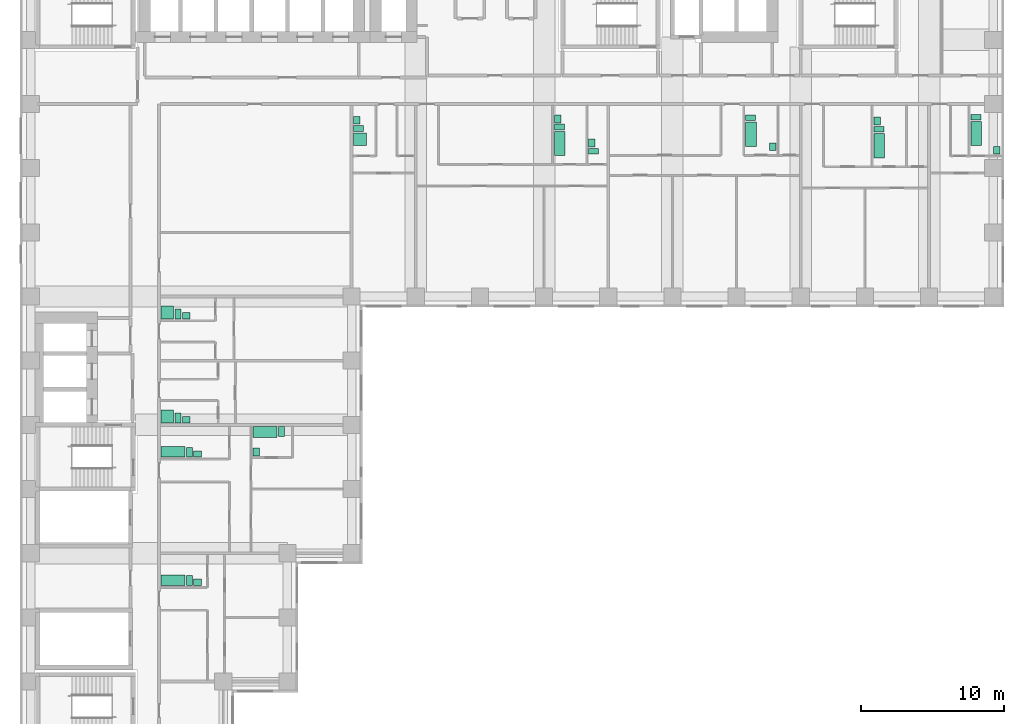
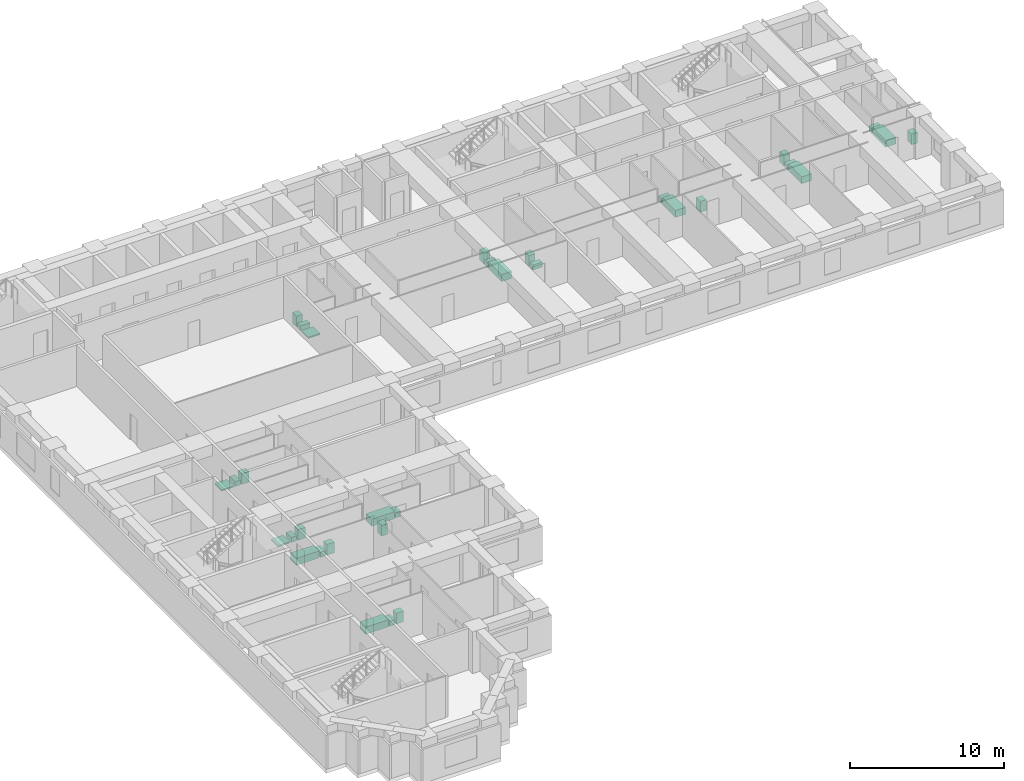
# One storey, part 11 of 11: 32 sanitary terminals.
"""IFC4 building model written with IfcOpenShell, lengths in metres."""

from ifc_helpers import new_model, si_unit, direction, frame, origin, origin_2d, place, context, subcontext, project, spatial, rectangle, extrude, material, type_object, element, save


model = new_model("IFC4")

# Units and contexts
model_context = context("Model", 3, precision=1e-05, world=origin(), true_north=direction((0.0, 1.0)))
body_context = subcontext(model_context, "Body", "Model", "MODEL_VIEW")
ifc_project = project(units=[si_unit("LENGTHUNIT", "METRE"), si_unit("AREAUNIT", "SQUARE_METRE"), si_unit("VOLUMEUNIT", "CUBIC_METRE"), si_unit("PLANEANGLEUNIT", "RADIAN"), si_unit("MASSUNIT", "GRAM", prefix="KILO")], contexts=[model_context])

# Site, building, storey
site_placement = place(None, origin())
site = spatial("IfcSite", under=ifc_project, at=site_placement, CompositionType="ELEMENT")
building_placement = place(site_placement, origin())
building = spatial("IfcBuilding", under=site, at=building_placement, Name="Firuza Court", CompositionType="ELEMENT")
storey_placement = place(building_placement, frame((0.0, 0.0, 57.800048828125)))
storey = spatial("IfcBuildingStorey", under=building, at=storey_placement, Name="L13", CompositionType="ELEMENT", Elevation=57.800048828125)

# Sanitary terminals
ifc_material_1 = material(Name="Vitreous china", Category="ceramic")
sanitary_terminal_type_1 = type_object("IfcSanitaryTerminalType", Name="Fixture Bath", PredefinedType="BATH", material=ifc_material_1)
for number, where, z_axis, x_axis, name in (
    (1, (37.10498046875, 46.72998046875, 0.0), (0.0, 0.0, 1.0), (1.0, 0.0, 0.0), "Bath"),
    (2, (50.5048828125, 47.3798828125, 0.0), (0.0, 0.0, 1.0), (1.0, 0.0, 0.0), "Bath"),
    (3, (59.5048828125, 46.580078125, 0.0), (0.0, 0.0, 1.0), (1.0, 0.0, 0.0), "Bath"),
    (4, (66.304931640625, 47.429931640625, 0.0), (0.0, 0.0, 1.0), (1.0, 0.0, 0.0), "Bath"),
):
    element("IfcSanitaryTerminal", number, at=place(storey_placement, frame(where, z_axis=z_axis, x_axis=x_axis)), inside=storey, type_object=sanitary_terminal_type_1, Name=name, PredefinedType="BATH", context=body_context, shape_type="SweptSolid", body=[
        extrude(rectangle(XDim=0.75, YDim=1.699951171875, at=origin_2d()), origin(), (0.0, 0.0, 1.0), 0.550048828125),
    ])
for number, where, z_axis, x_axis, name in (
    (5, (9.97998046875, 25.10498046875, 0.0), (0.0, 0.0, 1.0), (1.0, 0.0, 0.0), "Bath"),
    (6, (16.429931640625, 26.4951171875, 0.0), (0.0, 0.0, 1.0), (1.0, 0.0, 0.0), "Bath"),
    (7, (9.97998046875, 16.10498046875, 0.0), (0.0, 0.0, 1.0), (1.0, 0.0, 0.0), "Bath"),
):
    element("IfcSanitaryTerminal", number, at=place(storey_placement, frame(where, z_axis=z_axis, x_axis=x_axis)), inside=storey, type_object=sanitary_terminal_type_1, Name=name, PredefinedType="BATH", context=body_context, shape_type="SweptSolid", body=[
        extrude(rectangle(XDim=1.699951171875, YDim=0.75, at=origin_2d()), origin(), (0.0, 0.0, 1.0), 0.550048828125),
    ])
ifc_material_2 = material(Name="Vitreous china", Category="ceramic")
sanitary_terminal_type_2 = type_object("IfcSanitaryTerminalType", Name="Fixture Shower tray", PredefinedType="SHOWER", material=ifc_material_2)
for number, where, z_axis, x_axis, name in (
    (8, (23.080078125, 47.030029296875, 0.0), (0.0, 0.0, 1.0), (1.0, 0.0, 0.0), "Shower tray"),
    (9, (9.580078125, 34.8798828125, 0.0), (0.0, 0.0, 1.0), (1.0, 0.0, 0.0), "Shower tray"),
    (10, (9.580078125, 27.580078125, 0.0), (0.0, 0.0, 1.0), (1.0, 0.0, 0.0), "Shower tray"),
):
    element("IfcSanitaryTerminal", number, at=place(storey_placement, frame(where, z_axis=z_axis, x_axis=x_axis)), inside=storey, type_object=sanitary_terminal_type_2, Name=name, PredefinedType="SHOWER", context=body_context, shape_type="SweptSolid", body=[
        extrude(rectangle(XDim=0.89990234375, YDim=0.89990234375, at=origin_2d()), origin(), (0.0, 0.0, 1.0), 0.10009765625),
    ])
ifc_material_3 = material(Name="Vitreous china", Category="ceramic")
sanitary_terminal_type_3 = type_object("IfcSanitaryTerminalType", Name="Fixture WC pan", PredefinedType="TOILETPAN", material=ifc_material_3)
for number, where, z_axis, x_axis, name in (
    (11, (22.97998046875, 47.780029296875, 0.0), (0.0, 0.0, 1.0), (1.0, 0.0, 0.0), "WC pan"),
    (12, (37.080078125, 47.8798828125, 0.0), (0.0, 0.0, 1.0), (1.0, 0.0, 0.0), "WC pan"),
    (13, (39.47998046875, 46.179931640625, 0.0), (0.0, 0.0, 1.0), (1.0, 0.0, 0.0), "WC pan"),
    (14, (50.47998046875, 48.530029296875, 0.0), (0.0, 0.0, 1.0), (1.0, 0.0, 0.0), "WC pan"),
    (15, (59.47998046875, 47.72998046875, 0.0), (0.0, 0.0, 1.0), (1.0, 0.0, 0.0), "WC pan"),
    (16, (66.280029296875, 48.580078125, 0.0), (0.0, 0.0, 1.0), (1.0, 0.0, 0.0), "WC pan"),
):
    element("IfcSanitaryTerminal", number, at=place(storey_placement, frame(where, z_axis=z_axis, x_axis=x_axis)), inside=storey, type_object=sanitary_terminal_type_3, Name=name, PredefinedType="TOILETPAN", context=body_context, shape_type="SweptSolid", body=[
        extrude(rectangle(XDim=0.699951171875, YDim=0.39990234375, at=origin_2d()), origin(), (0.0, 0.0, 1.0), 0.39990234375),
    ])
for number, where, z_axis, x_axis, name in (
    (17, (10.330078125, 34.780029296875, 0.0), (0.0, 0.0, 1.0), (1.0, 0.0, 0.0), "WC pan"),
    (18, (10.330078125, 27.47998046875, 0.0), (0.0, 0.0, 1.0), (1.0, 0.0, 0.0), "WC pan"),
    (19, (11.1298828125, 25.080078125, 0.0), (0.0, 0.0, 1.0), (1.0, 0.0, 0.0), "WC pan"),
    (20, (17.580078125, 26.52001953125, 0.0), (0.0, 0.0, 1.0), (1.0, 0.0, 0.0), "WC pan"),
    (21, (11.1298828125, 16.080078125, 0.0), (0.0, 0.0, 1.0), (1.0, 0.0, 0.0), "WC pan"),
):
    element("IfcSanitaryTerminal", number, at=place(storey_placement, frame(where, z_axis=z_axis, x_axis=x_axis)), inside=storey, type_object=sanitary_terminal_type_3, Name=name, PredefinedType="TOILETPAN", context=body_context, shape_type="SweptSolid", body=[
        extrude(rectangle(XDim=0.39990234375, YDim=0.699951171875, at=origin_2d()), origin(), (0.0, 0.0, 1.0), 0.39990234375),
    ])
ifc_material_4 = material(Name="Vitreous china", Category="ceramic")
sanitary_terminal_type_4 = type_object("IfcSanitaryTerminalType", Name="Fixture Washbasin", PredefinedType="WASHHANDBASIN", material=ifc_material_4)
for number, where, z_axis, x_axis, name in (
    (22, (22.85498046875, 48.35498046875, 0.0), (0.0, 0.0, 1.0), (1.0, 0.0, 0.0), "Washbasin"),
    (23, (36.955078125, 48.455078125, 0.0), (0.0, 0.0, 1.0), (1.0, 0.0, 0.0), "Washbasin"),
    (24, (39.35498046875, 46.7548828125, 0.0), (0.0, 0.0, 1.0), (1.0, 0.0, 0.0), "Washbasin"),
    (25, (52.044921875, 46.5048828125, 0.0), (0.0, 0.0, 1.0), (1.0, 0.0, 0.0), "Washbasin"),
    (26, (59.35498046875, 48.304931640625, 0.0), (0.0, 0.0, 1.0), (1.0, 0.0, 0.0), "Washbasin"),
    (27, (67.7451171875, 46.2548828125, 0.0), (0.0, 0.0, 1.0), (1.0, 0.0, 0.0), "Washbasin"),
):
    element("IfcSanitaryTerminal", number, at=place(storey_placement, frame(where, z_axis=z_axis, x_axis=x_axis)), inside=storey, type_object=sanitary_terminal_type_4, Name=name, PredefinedType="WASHHANDBASIN", context=body_context, shape_type="SweptSolid", body=[
        extrude(rectangle(XDim=0.449951171875, YDim=0.550048828125, at=origin_2d()), origin(), (0.0, 0.0, 1.0), 0.85009765625),
    ])
for number, where, z_axis, x_axis, name in (
    (28, (10.905029296875, 34.655029296875, 0.0), (0.0, 0.0, 1.0), (1.0, 0.0, 0.0), "Washbasin"),
    (29, (10.905029296875, 27.35498046875, 0.0), (0.0, 0.0, 1.0), (1.0, 0.0, 0.0), "Washbasin"),
    (30, (11.705078125, 24.955078125, 0.0), (0.0, 0.0, 1.0), (1.0, 0.0, 0.0), "Washbasin"),
):
    element("IfcSanitaryTerminal", number, at=place(storey_placement, frame(where, z_axis=z_axis, x_axis=x_axis)), inside=storey, type_object=sanitary_terminal_type_4, Name=name, PredefinedType="WASHHANDBASIN", context=body_context, shape_type="SweptSolid", body=[
        extrude(rectangle(XDim=0.550048828125, YDim=0.449951171875, at=origin_2d()), origin(), (0.0, 0.0, 1.0), 0.85009765625),
    ])
sanitary_terminal_1_placement = place(storey_placement, frame((15.804931640625, 25.10498046875, 0.0), z_axis=(0.0, 0.0, 1.0), x_axis=(1.0, 0.0, 0.0)))
element("IfcSanitaryTerminal", 31, at=sanitary_terminal_1_placement, inside=storey, type_object=sanitary_terminal_type_4, Name="Washbasin", PredefinedType="WASHHANDBASIN", context=body_context, shape_type="SweptSolid", body=[
    extrude(rectangle(XDim=0.449951171875, YDim=0.550048828125, at=origin_2d()), origin(), (0.0, 0.0, 1.0), 0.85009765625),
])
sanitary_terminal_2_placement = place(storey_placement, frame((11.705078125, 15.955078125, 0.0), z_axis=(0.0, 0.0, 1.0), x_axis=(1.0, 0.0, 0.0)))
element("IfcSanitaryTerminal", 32, at=sanitary_terminal_2_placement, inside=storey, type_object=sanitary_terminal_type_4, Name="Washbasin", PredefinedType="WASHHANDBASIN", context=body_context, shape_type="SweptSolid", body=[
    extrude(rectangle(XDim=0.550048828125, YDim=0.449951171875, at=origin_2d()), origin(), (0.0, 0.0, 1.0), 0.85009765625),
])

save(model, "model.ifc")
